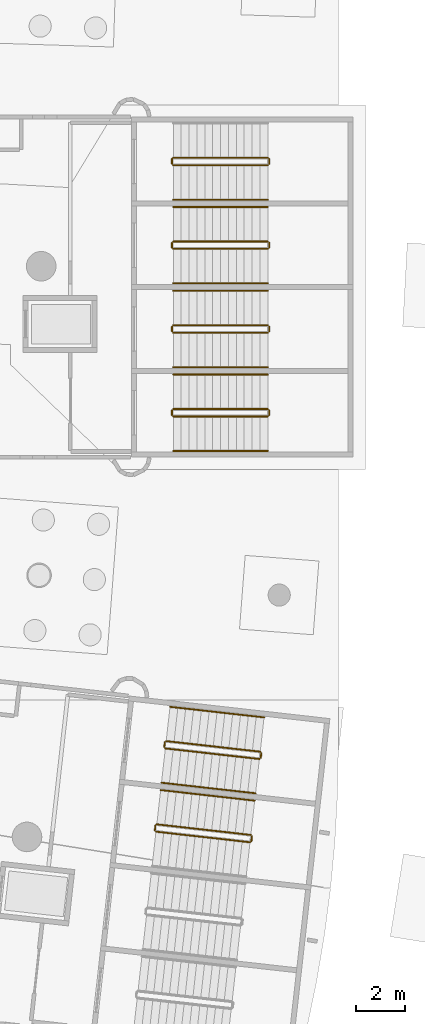
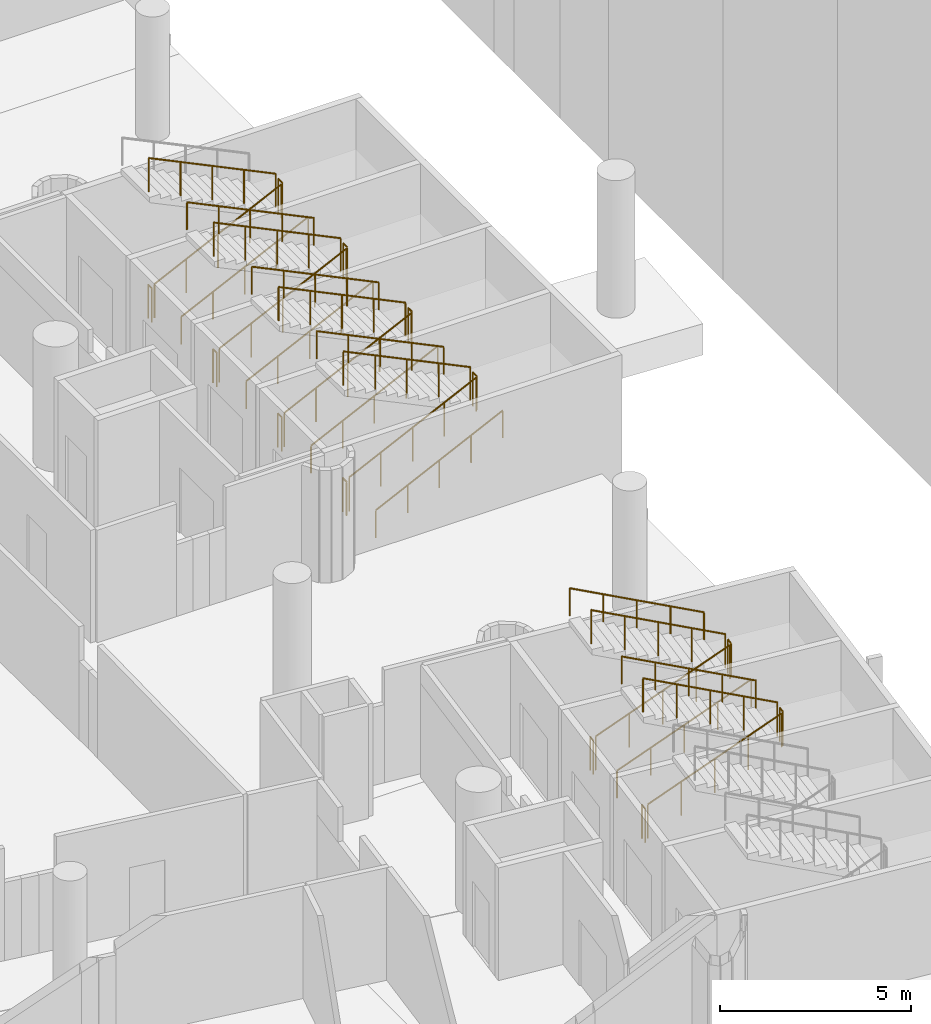
# One storey, part 125 of 142: 34 railings.
"""IFC4 building model written with IfcOpenShell, lengths in metres."""

from ifc_helpers import new_model, si_unit, direction, frame, origin, origin_2d, place, context, subcontext, project, spatial, circle, extrude, material, type_object, element, save


model = new_model("IFC4")

# Units and contexts
model_context = context("Model", 3, precision=1e-05, world=origin(), true_north=direction((0.0, 1.0)))
body_context = subcontext(model_context, "Body", "Model", "MODEL_VIEW")
ifc_project = project(units=[si_unit("LENGTHUNIT", "METRE"), si_unit("AREAUNIT", "SQUARE_METRE"), si_unit("VOLUMEUNIT", "CUBIC_METRE"), si_unit("PLANEANGLEUNIT", "RADIAN"), si_unit("MASSUNIT", "GRAM", prefix="KILO")], contexts=[model_context])

# Site, building, storey
site_placement = place(None, origin())
site = spatial("IfcSite", under=ifc_project, at=site_placement, CompositionType="ELEMENT")
building_placement = place(site_placement, origin())
building = spatial("IfcBuilding", under=site, at=building_placement, Name="Meseta Stadium", CompositionType="ELEMENT")
storey_placement = place(building_placement, frame((0.0, 0.0, -4.0)))
storey = spatial("IfcBuildingStorey", under=building, at=storey_placement, Name="B1", CompositionType="ELEMENT", Elevation=-4.0)

# Railings
ifc_material_1 = material(Name="Steel S355", Category="steel")
railing_type_1 = type_object("IfcRailingType", Name="Stair guard 1100", PredefinedType="GUARDRAIL", material=ifc_material_1)
railing_1_placement = place(storey_placement, frame((89.598876953125, -53.3525390625, 0.15380859375)))
element("IfcRailing", 1, at=railing_1_placement, inside=storey, type_object=railing_type_1, Name="ST3 B1 guard 1", PredefinedType="GUARDRAIL", context=body_context, shape_type="SweptSolid", body=[
    extrude(circle(Radius=0.02392578125, at=origin_2d()), frame((0.0, 0.0, 1.076171875), z_axis=(0.895573959525, -0.100908934847, 0.433318208582), x_axis=(0.111966649838, 0.99371196497, 0.0)), (0.0, 0.0, 1.0), 4.260498046875),
    extrude(circle(Radius=0.02099609375, at=origin_2d()), origin(), (0.0, 0.0, 1.0), 1.052001953125),
    extrude(circle(Radius=0.02099609375, at=origin_2d()), frame((0.953857421875, -0.107421875, 0.46142578125)), (0.0, 0.0, 1.0), 1.052001953125),
    extrude(circle(Radius=0.02099609375, at=origin_2d()), frame((1.90771484375, -0.21484375, 0.923095703125)), (0.0, 0.0, 1.0), 1.052001953125),
    extrude(circle(Radius=0.02099609375, at=origin_2d()), frame((2.86181640625, -0.322509765625, 1.384765625)), (0.0, 0.0, 1.0), 1.052001953125),
    extrude(circle(Radius=0.02099609375, at=origin_2d()), frame((3.815673828125, -0.429931640625, 1.84619140625)), (0.0, 0.0, 1.0), 1.052001953125),
])
railing_2_placement = place(storey_placement, frame((93.469970703125, -53.738525390625, 2.0)))
element("IfcRailing", 2, at=railing_2_placement, inside=storey, type_object=railing_type_1, Name="ST3 B1 guard 2", PredefinedType="GUARDRAIL", context=body_context, shape_type="SweptSolid", body=[
    extrude(circle(Radius=0.02392578125, at=origin_2d()), frame((0.0, 0.0, 1.076171875), z_axis=(0.111101504696, 0.993809063983, 0.0), x_axis=(-0.993809063983, 0.111101504696, 0.0)), (0.0, 0.0, 1.0), 0.199951171875),
    extrude(circle(Radius=0.02099609375, at=origin_2d()), origin(), (0.0, 0.0, 1.0), 1.052001953125),
    extrude(circle(Radius=0.02099609375, at=origin_2d()), frame((0.022216796875, 0.19873046875, 0.0)), (0.0, 0.0, 1.0), 1.052001953125),
])
railing_3_placement = place(storey_placement, frame((93.4482421875, -53.484375, 2.15380859375)))
element("IfcRailing", 3, at=railing_3_placement, inside=storey, type_object=railing_type_1, Name="ST3 B1 guard 3", PredefinedType="GUARDRAIL", context=body_context, shape_type="SweptSolid", body=[
    extrude(circle(Radius=0.02392578125, at=origin_2d()), frame((0.0, 0.0, 1.076171875), z_axis=(-0.89558530144, 0.100903756611, 0.433295972456), x_axis=(-0.111959576062, -0.993712761983, 0.0)), (0.0, 0.0, 1.0), 4.2607421875),
    extrude(circle(Radius=0.02099609375, at=origin_2d()), origin(), (0.0, 0.0, 1.0), 1.052001953125),
    extrude(circle(Radius=0.02099609375, at=origin_2d()), frame((-0.9541015625, 0.107421875, 0.46142578125)), (0.0, 0.0, 1.0), 1.052001953125),
    extrude(circle(Radius=0.02099609375, at=origin_2d()), frame((-1.907958984375, 0.21484375, 0.923095703125)), (0.0, 0.0, 1.0), 1.052001953125),
    extrude(circle(Radius=0.02099609375, at=origin_2d()), frame((-2.86181640625, 0.322509765625, 1.384765625)), (0.0, 0.0, 1.0), 1.052001953125),
    extrude(circle(Radius=0.02099609375, at=origin_2d()), frame((-3.81591796875, 0.429931640625, 1.84619140625)), (0.0, 0.0, 1.0), 1.052001953125),
])
railing_4_placement = place(storey_placement, frame((89.5546875, -53.29736328125, 0.0)))
element("IfcRailing", 4, at=railing_4_placement, inside=storey, type_object=railing_type_1, Name="ST3 B1 guard 4", PredefinedType="GUARDRAIL", context=body_context, shape_type="SweptSolid", body=[
    extrude(circle(Radius=0.02392578125, at=origin_2d()), frame((0.0, 0.0, 1.076171875), z_axis=(0.112307083986, 0.993673547442, 0.0), x_axis=(-0.993673547442, 0.112307083986, 0.0)), (0.0, 0.0, 1.0), 0.199951171875),
    extrude(circle(Radius=0.02099609375, at=origin_2d()), origin(), (0.0, 0.0, 1.0), 1.052001953125),
    extrude(circle(Radius=0.02099609375, at=origin_2d()), frame((0.0224609375, 0.19873046875, 0.0)), (0.0, 0.0, 1.0), 1.052001953125),
])
railing_5_placement = place(storey_placement, frame((89.9794921875, -49.973876953125, 0.15380859375)))
element("IfcRailing", 5, at=railing_5_placement, inside=storey, type_object=railing_type_1, Name="ST4 B1 guard 1", PredefinedType="GUARDRAIL", context=body_context, shape_type="SweptSolid", body=[
    extrude(circle(Radius=0.02392578125, at=origin_2d()), frame((0.0, 0.0, 1.076171875), z_axis=(0.89558530144, -0.100903756611, 0.433295972456), x_axis=(0.111959576062, 0.993712761983, 0.0)), (0.0, 0.0, 1.0), 4.2607421875),
    extrude(circle(Radius=0.02099609375, at=origin_2d()), origin(), (0.0, 0.0, 1.0), 1.052001953125),
    extrude(circle(Radius=0.02099609375, at=origin_2d()), frame((0.9541015625, -0.107421875, 0.46142578125)), (0.0, 0.0, 1.0), 1.052001953125),
    extrude(circle(Radius=0.02099609375, at=origin_2d()), frame((1.907958984375, -0.21484375, 0.923095703125)), (0.0, 0.0, 1.0), 1.052001953125),
    extrude(circle(Radius=0.02099609375, at=origin_2d()), frame((2.86181640625, -0.322509765625, 1.384765625)), (0.0, 0.0, 1.0), 1.052001953125),
    extrude(circle(Radius=0.02099609375, at=origin_2d()), frame((3.81591796875, -0.429931640625, 1.84619140625)), (0.0, 0.0, 1.0), 1.052001953125),
])
railing_6_placement = place(storey_placement, frame((93.8505859375, -50.35986328125, 2.0)))
element("IfcRailing", 6, at=railing_6_placement, inside=storey, type_object=railing_type_1, Name="ST4 B1 guard 2", PredefinedType="GUARDRAIL", context=body_context, shape_type="SweptSolid", body=[
    extrude(circle(Radius=0.02392578125, at=origin_2d()), frame((0.0, 0.0, 1.076171875), z_axis=(0.112307083986, 0.993673547442, 0.0), x_axis=(-0.993673547442, 0.112307083986, 0.0)), (0.0, 0.0, 1.0), 0.199951171875),
    extrude(circle(Radius=0.02099609375, at=origin_2d()), origin(), (0.0, 0.0, 1.0), 1.052001953125),
    extrude(circle(Radius=0.02099609375, at=origin_2d()), frame((0.0224609375, 0.19873046875, 0.0)), (0.0, 0.0, 1.0), 1.052001953125),
])
railing_7_placement = place(storey_placement, frame((93.828857421875, -50.105712890625, 2.15380859375)))
element("IfcRailing", 7, at=railing_7_placement, inside=storey, type_object=railing_type_1, Name="ST4 B1 guard 3", PredefinedType="GUARDRAIL", context=body_context, shape_type="SweptSolid", body=[
    extrude(circle(Radius=0.02392578125, at=origin_2d()), frame((0.0, 0.0, 1.076171875), z_axis=(-0.89558530144, 0.100903756611, 0.433295972456), x_axis=(-0.111959576062, -0.993712761983, 0.0)), (0.0, 0.0, 1.0), 4.2607421875),
    extrude(circle(Radius=0.02099609375, at=origin_2d()), origin(), (0.0, 0.0, 1.0), 1.052001953125),
    extrude(circle(Radius=0.02099609375, at=origin_2d()), frame((-0.9541015625, 0.107421875, 0.46142578125)), (0.0, 0.0, 1.0), 1.052001953125),
    extrude(circle(Radius=0.02099609375, at=origin_2d()), frame((-1.907958984375, 0.21484375, 0.923095703125)), (0.0, 0.0, 1.0), 1.052001953125),
    extrude(circle(Radius=0.02099609375, at=origin_2d()), frame((-2.86181640625, 0.322509765625, 1.384765625)), (0.0, 0.0, 1.0), 1.052001953125),
    extrude(circle(Radius=0.02099609375, at=origin_2d()), frame((-3.81591796875, 0.429931640625, 1.84619140625)), (0.0, 0.0, 1.0), 1.052001953125),
])
railing_8_placement = place(storey_placement, frame((89.935302734375, -49.918701171875, 0.0)))
element("IfcRailing", 8, at=railing_8_placement, inside=storey, type_object=railing_type_1, Name="ST4 B1 guard 4", PredefinedType="GUARDRAIL", context=body_context, shape_type="SweptSolid", body=[
    extrude(circle(Radius=0.02392578125, at=origin_2d()), frame((0.0, 0.0, 1.076171875), z_axis=(0.112307083986, 0.993673547442, 0.0), x_axis=(-0.993673547442, 0.112307083986, 0.0)), (0.0, 0.0, 1.0), 0.199951171875),
    extrude(circle(Radius=0.02099609375, at=origin_2d()), origin(), (0.0, 0.0, 1.0), 1.052001953125),
    extrude(circle(Radius=0.02099609375, at=origin_2d()), frame((0.0224609375, 0.19873046875, 0.0)), (0.0, 0.0, 1.0), 1.052001953125),
])
railing_9_placement = place(storey_placement, frame((90.300048828125, -36.5, 0.15380859375)))
element("IfcRailing", 9, at=railing_9_placement, inside=storey, type_object=railing_type_1, Name="ST5 B1 guard 1", PredefinedType="GUARDRAIL", context=body_context, shape_type="SweptSolid", body=[
    extrude(circle(Radius=0.02392578125, at=origin_2d()), frame((0.0, 0.0, 1.076171875), z_axis=(0.901242096526, 0.0, 0.43331591645), x_axis=(0.0, 1.0, 0.0)), (0.0, 0.0, 1.0), 4.260498046875),
    extrude(circle(Radius=0.02099609375, at=origin_2d()), origin(), (0.0, 0.0, 1.0), 1.052001953125),
    extrude(circle(Radius=0.02099609375, at=origin_2d()), frame((0.9599609375, 0.0, 0.46142578125)), (0.0, 0.0, 1.0), 1.052001953125),
    extrude(circle(Radius=0.02099609375, at=origin_2d()), frame((1.919921875, 0.0, 0.923095703125)), (0.0, 0.0, 1.0), 1.052001953125),
    extrude(circle(Radius=0.02099609375, at=origin_2d()), frame((2.8798828125, 0.0, 1.384765625)), (0.0, 0.0, 1.0), 1.052001953125),
    extrude(circle(Radius=0.02099609375, at=origin_2d()), frame((3.83984375, 0.0, 1.84619140625)), (0.0, 0.0, 1.0), 1.052001953125),
])
railing_10_placement = place(storey_placement, frame((94.18994140625, -36.449951171875, 2.0)))
element("IfcRailing", 10, at=railing_10_placement, inside=storey, type_object=railing_type_1, Name="ST5 B1 guard 2", PredefinedType="GUARDRAIL", context=body_context, shape_type="SweptSolid", body=[
    extrude(circle(Radius=0.02392578125, at=origin_2d()), frame((0.0, 0.0, 1.076171875), z_axis=(0.0, 1.0, 0.0), x_axis=(-1.0, 0.0, 0.0)), (0.0, 0.0, 1.0), 0.199951171875),
    extrude(circle(Radius=0.02099609375, at=origin_2d()), origin(), (0.0, 0.0, 1.0), 1.052001953125),
    extrude(circle(Radius=0.02099609375, at=origin_2d()), frame((0.0, 0.199951171875, 0.0)), (0.0, 0.0, 1.0), 1.052001953125),
])
railing_11_placement = place(storey_placement, frame((94.139892578125, -36.199951171875, 2.15380859375)))
element("IfcRailing", 11, at=railing_11_placement, inside=storey, type_object=railing_type_1, Name="ST5 B1 guard 3", PredefinedType="GUARDRAIL", context=body_context, shape_type="SweptSolid", body=[
    extrude(circle(Radius=0.02392578125, at=origin_2d()), frame((0.0, 0.0, 1.076171875), z_axis=(-0.901242096526, 0.0, 0.43331591645), x_axis=(0.0, -1.0, 0.0)), (0.0, 0.0, 1.0), 4.260498046875),
    extrude(circle(Radius=0.02099609375, at=origin_2d()), origin(), (0.0, 0.0, 1.0), 1.052001953125),
    extrude(circle(Radius=0.02099609375, at=origin_2d()), frame((-0.9599609375, 0.0, 0.46142578125)), (0.0, 0.0, 1.0), 1.052001953125),
    extrude(circle(Radius=0.02099609375, at=origin_2d()), frame((-1.919921875, 0.0, 0.923095703125)), (0.0, 0.0, 1.0), 1.052001953125),
    extrude(circle(Radius=0.02099609375, at=origin_2d()), frame((-2.8798828125, 0.0, 1.384765625)), (0.0, 0.0, 1.0), 1.052001953125),
    extrude(circle(Radius=0.02099609375, at=origin_2d()), frame((-3.83984375, 0.0, 1.84619140625)), (0.0, 0.0, 1.0), 1.052001953125),
])
railing_12_placement = place(storey_placement, frame((90.25, -36.449951171875, 0.0)))
element("IfcRailing", 12, at=railing_12_placement, inside=storey, type_object=railing_type_1, Name="ST5 B1 guard 4", PredefinedType="GUARDRAIL", context=body_context, shape_type="SweptSolid", body=[
    extrude(circle(Radius=0.02392578125, at=origin_2d()), frame((0.0, 0.0, 1.076171875), z_axis=(0.0, 1.0, 0.0), x_axis=(-1.0, 0.0, 0.0)), (0.0, 0.0, 1.0), 0.199951171875),
    extrude(circle(Radius=0.02099609375, at=origin_2d()), origin(), (0.0, 0.0, 1.0), 1.052001953125),
    extrude(circle(Radius=0.02099609375, at=origin_2d()), frame((0.0, 0.199951171875, 0.0)), (0.0, 0.0, 1.0), 1.052001953125),
])
railing_13_placement = place(storey_placement, frame((90.300048828125, -33.10009765625, 0.15380859375)))
element("IfcRailing", 13, at=railing_13_placement, inside=storey, type_object=railing_type_1, Name="ST6 B1 guard 1", PredefinedType="GUARDRAIL", context=body_context, shape_type="SweptSolid", body=[
    extrude(circle(Radius=0.02392578125, at=origin_2d()), frame((0.0, 0.0, 1.076171875), z_axis=(0.901242096526, 0.0, 0.43331591645), x_axis=(0.0, 1.0, 0.0)), (0.0, 0.0, 1.0), 4.260498046875),
    extrude(circle(Radius=0.02099609375, at=origin_2d()), origin(), (0.0, 0.0, 1.0), 1.052001953125),
    extrude(circle(Radius=0.02099609375, at=origin_2d()), frame((0.9599609375, 0.0, 0.46142578125)), (0.0, 0.0, 1.0), 1.052001953125),
    extrude(circle(Radius=0.02099609375, at=origin_2d()), frame((1.919921875, 0.0, 0.923095703125)), (0.0, 0.0, 1.0), 1.052001953125),
    extrude(circle(Radius=0.02099609375, at=origin_2d()), frame((2.8798828125, 0.0, 1.384765625)), (0.0, 0.0, 1.0), 1.052001953125),
    extrude(circle(Radius=0.02099609375, at=origin_2d()), frame((3.83984375, 0.0, 1.84619140625)), (0.0, 0.0, 1.0), 1.052001953125),
])
railing_14_placement = place(storey_placement, frame((94.18994140625, -33.050048828125, 2.0)))
element("IfcRailing", 14, at=railing_14_placement, inside=storey, type_object=railing_type_1, Name="ST6 B1 guard 2", PredefinedType="GUARDRAIL", context=body_context, shape_type="SweptSolid", body=[
    extrude(circle(Radius=0.02392578125, at=origin_2d()), frame((0.0, 0.0, 1.076171875), z_axis=(0.0, 1.0, 0.0), x_axis=(-1.0, 0.0, 0.0)), (0.0, 0.0, 1.0), 0.199951171875),
    extrude(circle(Radius=0.02099609375, at=origin_2d()), origin(), (0.0, 0.0, 1.0), 1.052001953125),
    extrude(circle(Radius=0.02099609375, at=origin_2d()), frame((0.0, 0.199951171875, 0.0)), (0.0, 0.0, 1.0), 1.052001953125),
])
railing_15_placement = place(storey_placement, frame((94.139892578125, -32.800048828125, 2.15380859375)))
element("IfcRailing", 15, at=railing_15_placement, inside=storey, type_object=railing_type_1, Name="ST6 B1 guard 3", PredefinedType="GUARDRAIL", context=body_context, shape_type="SweptSolid", body=[
    extrude(circle(Radius=0.02392578125, at=origin_2d()), frame((0.0, 0.0, 1.076171875), z_axis=(-0.901242096526, 0.0, 0.43331591645), x_axis=(0.0, -1.0, 0.0)), (0.0, 0.0, 1.0), 4.260498046875),
    extrude(circle(Radius=0.02099609375, at=origin_2d()), origin(), (0.0, 0.0, 1.0), 1.052001953125),
    extrude(circle(Radius=0.02099609375, at=origin_2d()), frame((-0.9599609375, 0.0, 0.46142578125)), (0.0, 0.0, 1.0), 1.052001953125),
    extrude(circle(Radius=0.02099609375, at=origin_2d()), frame((-1.919921875, 0.0, 0.923095703125)), (0.0, 0.0, 1.0), 1.052001953125),
    extrude(circle(Radius=0.02099609375, at=origin_2d()), frame((-2.8798828125, 0.0, 1.384765625)), (0.0, 0.0, 1.0), 1.052001953125),
    extrude(circle(Radius=0.02099609375, at=origin_2d()), frame((-3.83984375, 0.0, 1.84619140625)), (0.0, 0.0, 1.0), 1.052001953125),
])
railing_16_placement = place(storey_placement, frame((90.25, -33.050048828125, 0.0)))
element("IfcRailing", 16, at=railing_16_placement, inside=storey, type_object=railing_type_1, Name="ST6 B1 guard 4", PredefinedType="GUARDRAIL", context=body_context, shape_type="SweptSolid", body=[
    extrude(circle(Radius=0.02392578125, at=origin_2d()), frame((0.0, 0.0, 1.076171875), z_axis=(0.0, 1.0, 0.0), x_axis=(-1.0, 0.0, 0.0)), (0.0, 0.0, 1.0), 0.199951171875),
    extrude(circle(Radius=0.02099609375, at=origin_2d()), origin(), (0.0, 0.0, 1.0), 1.052001953125),
    extrude(circle(Radius=0.02099609375, at=origin_2d()), frame((0.0, 0.199951171875, 0.0)), (0.0, 0.0, 1.0), 1.052001953125),
])
railing_17_placement = place(storey_placement, frame((90.300048828125, -29.699951171875, 0.15380859375)))
element("IfcRailing", 17, at=railing_17_placement, inside=storey, type_object=railing_type_1, Name="ST7 B1 guard 1", PredefinedType="GUARDRAIL", context=body_context, shape_type="SweptSolid", body=[
    extrude(circle(Radius=0.02392578125, at=origin_2d()), frame((0.0, 0.0, 1.076171875), z_axis=(0.901242096526, 0.0, 0.43331591645), x_axis=(0.0, 1.0, 0.0)), (0.0, 0.0, 1.0), 4.260498046875),
    extrude(circle(Radius=0.02099609375, at=origin_2d()), origin(), (0.0, 0.0, 1.0), 1.052001953125),
    extrude(circle(Radius=0.02099609375, at=origin_2d()), frame((0.9599609375, 0.0, 0.46142578125)), (0.0, 0.0, 1.0), 1.052001953125),
    extrude(circle(Radius=0.02099609375, at=origin_2d()), frame((1.919921875, 0.0, 0.923095703125)), (0.0, 0.0, 1.0), 1.052001953125),
    extrude(circle(Radius=0.02099609375, at=origin_2d()), frame((2.8798828125, 0.0, 1.384765625)), (0.0, 0.0, 1.0), 1.052001953125),
    extrude(circle(Radius=0.02099609375, at=origin_2d()), frame((3.83984375, 0.0, 1.84619140625)), (0.0, 0.0, 1.0), 1.052001953125),
])
railing_18_placement = place(storey_placement, frame((94.18994140625, -29.64990234375, 2.0)))
element("IfcRailing", 18, at=railing_18_placement, inside=storey, type_object=railing_type_1, Name="ST7 B1 guard 2", PredefinedType="GUARDRAIL", context=body_context, shape_type="SweptSolid", body=[
    extrude(circle(Radius=0.02392578125, at=origin_2d()), frame((0.0, 0.0, 1.076171875), z_axis=(0.0, 1.0, 0.0), x_axis=(-1.0, 0.0, 0.0)), (0.0, 0.0, 1.0), 0.199951171875),
    extrude(circle(Radius=0.02099609375, at=origin_2d()), origin(), (0.0, 0.0, 1.0), 1.052001953125),
    extrude(circle(Radius=0.02099609375, at=origin_2d()), frame((0.0, 0.199951171875, 0.0)), (0.0, 0.0, 1.0), 1.052001953125),
])
railing_19_placement = place(storey_placement, frame((94.139892578125, -29.39990234375, 2.15380859375)))
element("IfcRailing", 19, at=railing_19_placement, inside=storey, type_object=railing_type_1, Name="ST7 B1 guard 3", PredefinedType="GUARDRAIL", context=body_context, shape_type="SweptSolid", body=[
    extrude(circle(Radius=0.02392578125, at=origin_2d()), frame((0.0, 0.0, 1.076171875), z_axis=(-0.901242096526, 0.0, 0.43331591645), x_axis=(0.0, -1.0, 0.0)), (0.0, 0.0, 1.0), 4.260498046875),
    extrude(circle(Radius=0.02099609375, at=origin_2d()), origin(), (0.0, 0.0, 1.0), 1.052001953125),
    extrude(circle(Radius=0.02099609375, at=origin_2d()), frame((-0.9599609375, 0.0, 0.46142578125)), (0.0, 0.0, 1.0), 1.052001953125),
    extrude(circle(Radius=0.02099609375, at=origin_2d()), frame((-1.919921875, 0.0, 0.923095703125)), (0.0, 0.0, 1.0), 1.052001953125),
    extrude(circle(Radius=0.02099609375, at=origin_2d()), frame((-2.8798828125, 0.0, 1.384765625)), (0.0, 0.0, 1.0), 1.052001953125),
    extrude(circle(Radius=0.02099609375, at=origin_2d()), frame((-3.83984375, 0.0, 1.84619140625)), (0.0, 0.0, 1.0), 1.052001953125),
])
railing_20_placement = place(storey_placement, frame((90.25, -29.64990234375, 0.0)))
element("IfcRailing", 20, at=railing_20_placement, inside=storey, type_object=railing_type_1, Name="ST7 B1 guard 4", PredefinedType="GUARDRAIL", context=body_context, shape_type="SweptSolid", body=[
    extrude(circle(Radius=0.02392578125, at=origin_2d()), frame((0.0, 0.0, 1.076171875), z_axis=(0.0, 1.0, 0.0), x_axis=(-1.0, 0.0, 0.0)), (0.0, 0.0, 1.0), 0.199951171875),
    extrude(circle(Radius=0.02099609375, at=origin_2d()), origin(), (0.0, 0.0, 1.0), 1.052001953125),
    extrude(circle(Radius=0.02099609375, at=origin_2d()), frame((0.0, 0.199951171875, 0.0)), (0.0, 0.0, 1.0), 1.052001953125),
])
railing_21_placement = place(storey_placement, frame((90.300048828125, -26.300048828125, 0.15380859375)))
element("IfcRailing", 21, at=railing_21_placement, inside=storey, type_object=railing_type_1, Name="ST8 B1 guard 1", PredefinedType="GUARDRAIL", context=body_context, shape_type="SweptSolid", body=[
    extrude(circle(Radius=0.02392578125, at=origin_2d()), frame((0.0, 0.0, 1.076171875), z_axis=(0.901242096526, 0.0, 0.43331591645), x_axis=(0.0, 1.0, 0.0)), (0.0, 0.0, 1.0), 4.260498046875),
    extrude(circle(Radius=0.02099609375, at=origin_2d()), origin(), (0.0, 0.0, 1.0), 1.052001953125),
    extrude(circle(Radius=0.02099609375, at=origin_2d()), frame((0.9599609375, 0.0, 0.46142578125)), (0.0, 0.0, 1.0), 1.052001953125),
    extrude(circle(Radius=0.02099609375, at=origin_2d()), frame((1.919921875, 0.0, 0.923095703125)), (0.0, 0.0, 1.0), 1.052001953125),
    extrude(circle(Radius=0.02099609375, at=origin_2d()), frame((2.8798828125, 0.0, 1.384765625)), (0.0, 0.0, 1.0), 1.052001953125),
    extrude(circle(Radius=0.02099609375, at=origin_2d()), frame((3.83984375, 0.0, 1.84619140625)), (0.0, 0.0, 1.0), 1.052001953125),
])
railing_22_placement = place(storey_placement, frame((94.18994140625, -26.25, 2.0)))
element("IfcRailing", 22, at=railing_22_placement, inside=storey, type_object=railing_type_1, Name="ST8 B1 guard 2", PredefinedType="GUARDRAIL", context=body_context, shape_type="SweptSolid", body=[
    extrude(circle(Radius=0.02392578125, at=origin_2d()), frame((0.0, 0.0, 1.076171875), z_axis=(0.0, 1.0, 0.0), x_axis=(-1.0, 0.0, 0.0)), (0.0, 0.0, 1.0), 0.199951171875),
    extrude(circle(Radius=0.02099609375, at=origin_2d()), origin(), (0.0, 0.0, 1.0), 1.052001953125),
    extrude(circle(Radius=0.02099609375, at=origin_2d()), frame((0.0, 0.199951171875, 0.0)), (0.0, 0.0, 1.0), 1.052001953125),
])
railing_23_placement = place(storey_placement, frame((94.139892578125, -26.0, 2.15380859375)))
element("IfcRailing", 23, at=railing_23_placement, inside=storey, type_object=railing_type_1, Name="ST8 B1 guard 3", PredefinedType="GUARDRAIL", context=body_context, shape_type="SweptSolid", body=[
    extrude(circle(Radius=0.02392578125, at=origin_2d()), frame((0.0, 0.0, 1.076171875), z_axis=(-0.901242096526, 0.0, 0.43331591645), x_axis=(0.0, -1.0, 0.0)), (0.0, 0.0, 1.0), 4.260498046875),
    extrude(circle(Radius=0.02099609375, at=origin_2d()), origin(), (0.0, 0.0, 1.0), 1.052001953125),
    extrude(circle(Radius=0.02099609375, at=origin_2d()), frame((-0.9599609375, 0.0, 0.46142578125)), (0.0, 0.0, 1.0), 1.052001953125),
    extrude(circle(Radius=0.02099609375, at=origin_2d()), frame((-1.919921875, 0.0, 0.923095703125)), (0.0, 0.0, 1.0), 1.052001953125),
    extrude(circle(Radius=0.02099609375, at=origin_2d()), frame((-2.8798828125, 0.0, 1.384765625)), (0.0, 0.0, 1.0), 1.052001953125),
    extrude(circle(Radius=0.02099609375, at=origin_2d()), frame((-3.83984375, 0.0, 1.84619140625)), (0.0, 0.0, 1.0), 1.052001953125),
])
railing_24_placement = place(storey_placement, frame((90.25, -26.25, 0.0)))
element("IfcRailing", 24, at=railing_24_placement, inside=storey, type_object=railing_type_1, Name="ST8 B1 guard 4", PredefinedType="GUARDRAIL", context=body_context, shape_type="SweptSolid", body=[
    extrude(circle(Radius=0.02392578125, at=origin_2d()), frame((0.0, 0.0, 1.076171875), z_axis=(0.0, 1.0, 0.0), x_axis=(-1.0, 0.0, 0.0)), (0.0, 0.0, 1.0), 0.199951171875),
    extrude(circle(Radius=0.02099609375, at=origin_2d()), origin(), (0.0, 0.0, 1.0), 1.052001953125),
    extrude(circle(Radius=0.02099609375, at=origin_2d()), frame((0.0, 0.199951171875, 0.0)), (0.0, 0.0, 1.0), 1.052001953125),
])
ifc_material_2 = material(Name="Steel S355", Category="steel")
railing_type_2 = type_object("IfcRailingType", Name="Stair handrail 900", PredefinedType="HANDRAIL", material=ifc_material_2)
railing_25_placement = place(storey_placement, frame((93.60498046875, -52.09326171875, 2.15380859375)))
element("IfcRailing", 25, at=railing_25_placement, inside=storey, type_object=railing_type_2, Name="ST3 B1 handrail 2", PredefinedType="HANDRAIL", context=body_context, shape_type="SweptSolid", body=[
    extrude(circle(Radius=0.02392578125, at=origin_2d()), frame((0.0, 0.0, 0.8759765625), z_axis=(-0.89558530144, 0.100903756611, 0.433295972456), x_axis=(-0.111959576062, -0.993712761983, 0.0)), (0.0, 0.0, 1.0), 4.2607421875),
    extrude(circle(Radius=0.02099609375, at=origin_2d()), origin(), (0.0, 0.0, 1.0), 0.851806640625),
    extrude(circle(Radius=0.02099609375, at=origin_2d()), frame((-0.9541015625, 0.107421875, 0.46142578125)), (0.0, 0.0, 1.0), 0.851806640625),
    extrude(circle(Radius=0.02099609375, at=origin_2d()), frame((-1.907958984375, 0.21484375, 0.923095703125)), (0.0, 0.0, 1.0), 0.851806640625),
    extrude(circle(Radius=0.02099609375, at=origin_2d()), frame((-2.86181640625, 0.322509765625, 1.384765625)), (0.0, 0.0, 1.0), 0.851806640625),
    extrude(circle(Radius=0.02099609375, at=origin_2d()), frame((-3.81591796875, 0.429931640625, 1.84619140625)), (0.0, 0.0, 1.0), 0.851806640625),
])
railing_26_placement = place(storey_placement, frame((89.82275390625, -51.365234375, 0.15380859375)))
element("IfcRailing", 26, at=railing_26_placement, inside=storey, type_object=railing_type_2, Name="ST4 B1 handrail 1", PredefinedType="HANDRAIL", context=body_context, shape_type="SweptSolid", body=[
    extrude(circle(Radius=0.02392578125, at=origin_2d()), frame((0.0, 0.0, 0.8759765625), z_axis=(0.89558530144, -0.100903756611, 0.433295972456), x_axis=(0.111959576062, 0.993712761983, 0.0)), (0.0, 0.0, 1.0), 4.2607421875),
    extrude(circle(Radius=0.02099609375, at=origin_2d()), origin(), (0.0, 0.0, 1.0), 0.851806640625),
    extrude(circle(Radius=0.02099609375, at=origin_2d()), frame((0.9541015625, -0.107421875, 0.46142578125)), (0.0, 0.0, 1.0), 0.851806640625),
    extrude(circle(Radius=0.02099609375, at=origin_2d()), frame((1.907958984375, -0.21484375, 0.923095703125)), (0.0, 0.0, 1.0), 0.851806640625),
    extrude(circle(Radius=0.02099609375, at=origin_2d()), frame((2.86181640625, -0.322509765625, 1.384765625)), (0.0, 0.0, 1.0), 0.851806640625),
    extrude(circle(Radius=0.02099609375, at=origin_2d()), frame((3.81591796875, -0.429931640625, 1.84619140625)), (0.0, 0.0, 1.0), 0.851806640625),
])
railing_27_placement = place(storey_placement, frame((93.985595703125, -48.714599609375, 2.15380859375)))
element("IfcRailing", 27, at=railing_27_placement, inside=storey, type_object=railing_type_2, Name="ST4 B1 handrail 2", PredefinedType="HANDRAIL", context=body_context, shape_type="SweptSolid", body=[
    extrude(circle(Radius=0.02392578125, at=origin_2d()), frame((0.0, 0.0, 0.8759765625), z_axis=(-0.89558530144, 0.100903756611, 0.433295972456), x_axis=(-0.111959576062, -0.993712761983, 0.0)), (0.0, 0.0, 1.0), 4.2607421875),
    extrude(circle(Radius=0.02099609375, at=origin_2d()), origin(), (0.0, 0.0, 1.0), 0.851806640625),
    extrude(circle(Radius=0.02099609375, at=origin_2d()), frame((-0.9541015625, 0.107421875, 0.46142578125)), (0.0, 0.0, 1.0), 0.851806640625),
    extrude(circle(Radius=0.02099609375, at=origin_2d()), frame((-1.907958984375, 0.21484375, 0.923095703125)), (0.0, 0.0, 1.0), 0.851806640625),
    extrude(circle(Radius=0.02099609375, at=origin_2d()), frame((-2.86181640625, 0.322509765625, 1.384765625)), (0.0, 0.0, 1.0), 0.851806640625),
    extrude(circle(Radius=0.02099609375, at=origin_2d()), frame((-3.81591796875, 0.429931640625, 1.84619140625)), (0.0, 0.0, 1.0), 0.851806640625),
])
railing_28_placement = place(storey_placement, frame((90.300048828125, -37.89990234375, 0.15380859375)))
element("IfcRailing", 28, at=railing_28_placement, inside=storey, type_object=railing_type_2, Name="ST5 B1 handrail 1", PredefinedType="HANDRAIL", context=body_context, shape_type="SweptSolid", body=[
    extrude(circle(Radius=0.02392578125, at=origin_2d()), frame((0.0, 0.0, 0.8759765625), z_axis=(0.901242096526, 0.0, 0.43331591645), x_axis=(0.0, 1.0, 0.0)), (0.0, 0.0, 1.0), 4.260498046875),
    extrude(circle(Radius=0.02099609375, at=origin_2d()), origin(), (0.0, 0.0, 1.0), 0.851806640625),
    extrude(circle(Radius=0.02099609375, at=origin_2d()), frame((0.9599609375, 0.0, 0.46142578125)), (0.0, 0.0, 1.0), 0.851806640625),
    extrude(circle(Radius=0.02099609375, at=origin_2d()), frame((1.919921875, 0.0, 0.923095703125)), (0.0, 0.0, 1.0), 0.851806640625),
    extrude(circle(Radius=0.02099609375, at=origin_2d()), frame((2.8798828125, 0.0, 1.384765625)), (0.0, 0.0, 1.0), 0.851806640625),
    extrude(circle(Radius=0.02099609375, at=origin_2d()), frame((3.83984375, 0.0, 1.84619140625)), (0.0, 0.0, 1.0), 0.851806640625),
])
railing_29_placement = place(storey_placement, frame((94.139892578125, -34.800048828125, 2.15380859375)))
element("IfcRailing", 29, at=railing_29_placement, inside=storey, type_object=railing_type_2, Name="ST5 B1 handrail 2", PredefinedType="HANDRAIL", context=body_context, shape_type="SweptSolid", body=[
    extrude(circle(Radius=0.02392578125, at=origin_2d()), frame((0.0, 0.0, 0.8759765625), z_axis=(-0.901242096526, 0.0, 0.43331591645), x_axis=(0.0, -1.0, 0.0)), (0.0, 0.0, 1.0), 4.260498046875),
    extrude(circle(Radius=0.02099609375, at=origin_2d()), origin(), (0.0, 0.0, 1.0), 0.851806640625),
    extrude(circle(Radius=0.02099609375, at=origin_2d()), frame((-0.9599609375, 0.0, 0.46142578125)), (0.0, 0.0, 1.0), 0.851806640625),
    extrude(circle(Radius=0.02099609375, at=origin_2d()), frame((-1.919921875, 0.0, 0.923095703125)), (0.0, 0.0, 1.0), 0.851806640625),
    extrude(circle(Radius=0.02099609375, at=origin_2d()), frame((-2.8798828125, 0.0, 1.384765625)), (0.0, 0.0, 1.0), 0.851806640625),
    extrude(circle(Radius=0.02099609375, at=origin_2d()), frame((-3.83984375, 0.0, 1.84619140625)), (0.0, 0.0, 1.0), 0.851806640625),
])
railing_30_placement = place(storey_placement, frame((90.300048828125, -34.5, 0.15380859375)))
element("IfcRailing", 30, at=railing_30_placement, inside=storey, type_object=railing_type_2, Name="ST6 B1 handrail 1", PredefinedType="HANDRAIL", context=body_context, shape_type="SweptSolid", body=[
    extrude(circle(Radius=0.02392578125, at=origin_2d()), frame((0.0, 0.0, 0.8759765625), z_axis=(0.901242096526, 0.0, 0.43331591645), x_axis=(0.0, 1.0, 0.0)), (0.0, 0.0, 1.0), 4.260498046875),
    extrude(circle(Radius=0.02099609375, at=origin_2d()), origin(), (0.0, 0.0, 1.0), 0.851806640625),
    extrude(circle(Radius=0.02099609375, at=origin_2d()), frame((0.9599609375, 0.0, 0.46142578125)), (0.0, 0.0, 1.0), 0.851806640625),
    extrude(circle(Radius=0.02099609375, at=origin_2d()), frame((1.919921875, 0.0, 0.923095703125)), (0.0, 0.0, 1.0), 0.851806640625),
    extrude(circle(Radius=0.02099609375, at=origin_2d()), frame((2.8798828125, 0.0, 1.384765625)), (0.0, 0.0, 1.0), 0.851806640625),
    extrude(circle(Radius=0.02099609375, at=origin_2d()), frame((3.83984375, 0.0, 1.84619140625)), (0.0, 0.0, 1.0), 0.851806640625),
])
railing_31_placement = place(storey_placement, frame((94.139892578125, -31.39990234375, 2.15380859375)))
element("IfcRailing", 31, at=railing_31_placement, inside=storey, type_object=railing_type_2, Name="ST6 B1 handrail 2", PredefinedType="HANDRAIL", context=body_context, shape_type="SweptSolid", body=[
    extrude(circle(Radius=0.02392578125, at=origin_2d()), frame((0.0, 0.0, 0.8759765625), z_axis=(-0.901242096526, 0.0, 0.43331591645), x_axis=(0.0, -1.0, 0.0)), (0.0, 0.0, 1.0), 4.260498046875),
    extrude(circle(Radius=0.02099609375, at=origin_2d()), origin(), (0.0, 0.0, 1.0), 0.851806640625),
    extrude(circle(Radius=0.02099609375, at=origin_2d()), frame((-0.9599609375, 0.0, 0.46142578125)), (0.0, 0.0, 1.0), 0.851806640625),
    extrude(circle(Radius=0.02099609375, at=origin_2d()), frame((-1.919921875, 0.0, 0.923095703125)), (0.0, 0.0, 1.0), 0.851806640625),
    extrude(circle(Radius=0.02099609375, at=origin_2d()), frame((-2.8798828125, 0.0, 1.384765625)), (0.0, 0.0, 1.0), 0.851806640625),
    extrude(circle(Radius=0.02099609375, at=origin_2d()), frame((-3.83984375, 0.0, 1.84619140625)), (0.0, 0.0, 1.0), 0.851806640625),
])
railing_32_placement = place(storey_placement, frame((90.300048828125, -31.10009765625, 0.15380859375)))
element("IfcRailing", 32, at=railing_32_placement, inside=storey, type_object=railing_type_2, Name="ST7 B1 handrail 1", PredefinedType="HANDRAIL", context=body_context, shape_type="SweptSolid", body=[
    extrude(circle(Radius=0.02392578125, at=origin_2d()), frame((0.0, 0.0, 0.8759765625), z_axis=(0.901242096526, 0.0, 0.43331591645), x_axis=(0.0, 1.0, 0.0)), (0.0, 0.0, 1.0), 4.260498046875),
    extrude(circle(Radius=0.02099609375, at=origin_2d()), origin(), (0.0, 0.0, 1.0), 0.851806640625),
    extrude(circle(Radius=0.02099609375, at=origin_2d()), frame((0.9599609375, 0.0, 0.46142578125)), (0.0, 0.0, 1.0), 0.851806640625),
    extrude(circle(Radius=0.02099609375, at=origin_2d()), frame((1.919921875, 0.0, 0.923095703125)), (0.0, 0.0, 1.0), 0.851806640625),
    extrude(circle(Radius=0.02099609375, at=origin_2d()), frame((2.8798828125, 0.0, 1.384765625)), (0.0, 0.0, 1.0), 0.851806640625),
    extrude(circle(Radius=0.02099609375, at=origin_2d()), frame((3.83984375, 0.0, 1.84619140625)), (0.0, 0.0, 1.0), 0.851806640625),
])
railing_33_placement = place(storey_placement, frame((94.139892578125, -28.0, 2.15380859375)))
element("IfcRailing", 33, at=railing_33_placement, inside=storey, type_object=railing_type_2, Name="ST7 B1 handrail 2", PredefinedType="HANDRAIL", context=body_context, shape_type="SweptSolid", body=[
    extrude(circle(Radius=0.02392578125, at=origin_2d()), frame((0.0, 0.0, 0.8759765625), z_axis=(-0.901242096526, 0.0, 0.43331591645), x_axis=(0.0, -1.0, 0.0)), (0.0, 0.0, 1.0), 4.260498046875),
    extrude(circle(Radius=0.02099609375, at=origin_2d()), origin(), (0.0, 0.0, 1.0), 0.851806640625),
    extrude(circle(Radius=0.02099609375, at=origin_2d()), frame((-0.9599609375, 0.0, 0.46142578125)), (0.0, 0.0, 1.0), 0.851806640625),
    extrude(circle(Radius=0.02099609375, at=origin_2d()), frame((-1.919921875, 0.0, 0.923095703125)), (0.0, 0.0, 1.0), 0.851806640625),
    extrude(circle(Radius=0.02099609375, at=origin_2d()), frame((-2.8798828125, 0.0, 1.384765625)), (0.0, 0.0, 1.0), 0.851806640625),
    extrude(circle(Radius=0.02099609375, at=origin_2d()), frame((-3.83984375, 0.0, 1.84619140625)), (0.0, 0.0, 1.0), 0.851806640625),
])
railing_34_placement = place(storey_placement, frame((90.300048828125, -27.699951171875, 0.15380859375)))
element("IfcRailing", 34, at=railing_34_placement, inside=storey, type_object=railing_type_2, Name="ST8 B1 handrail 1", PredefinedType="HANDRAIL", context=body_context, shape_type="SweptSolid", body=[
    extrude(circle(Radius=0.02392578125, at=origin_2d()), frame((0.0, 0.0, 0.8759765625), z_axis=(0.901242096526, 0.0, 0.43331591645), x_axis=(0.0, 1.0, 0.0)), (0.0, 0.0, 1.0), 4.260498046875),
    extrude(circle(Radius=0.02099609375, at=origin_2d()), origin(), (0.0, 0.0, 1.0), 0.851806640625),
    extrude(circle(Radius=0.02099609375, at=origin_2d()), frame((0.9599609375, 0.0, 0.46142578125)), (0.0, 0.0, 1.0), 0.851806640625),
    extrude(circle(Radius=0.02099609375, at=origin_2d()), frame((1.919921875, 0.0, 0.923095703125)), (0.0, 0.0, 1.0), 0.851806640625),
    extrude(circle(Radius=0.02099609375, at=origin_2d()), frame((2.8798828125, 0.0, 1.384765625)), (0.0, 0.0, 1.0), 0.851806640625),
    extrude(circle(Radius=0.02099609375, at=origin_2d()), frame((3.83984375, 0.0, 1.84619140625)), (0.0, 0.0, 1.0), 0.851806640625),
])

save(model, "model.ifc")
